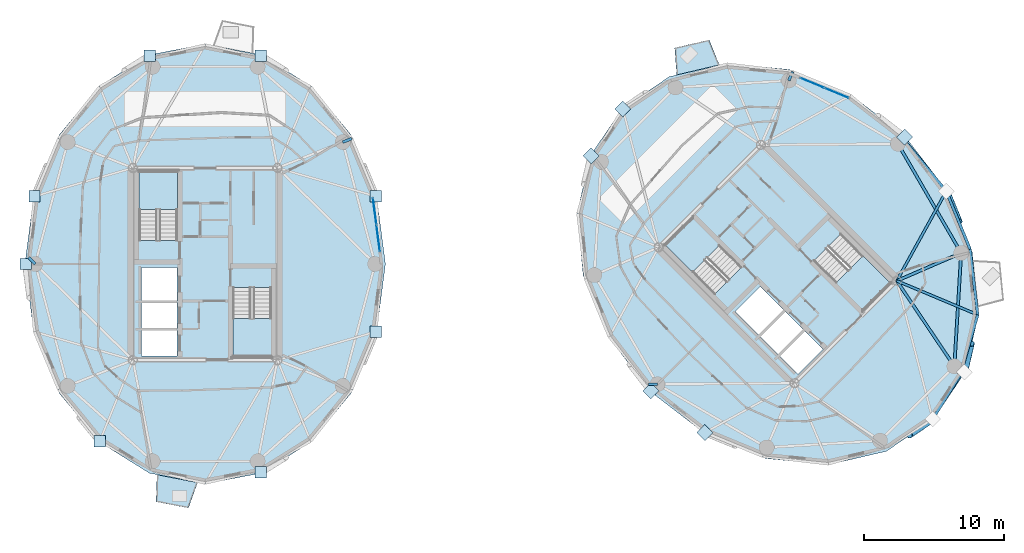
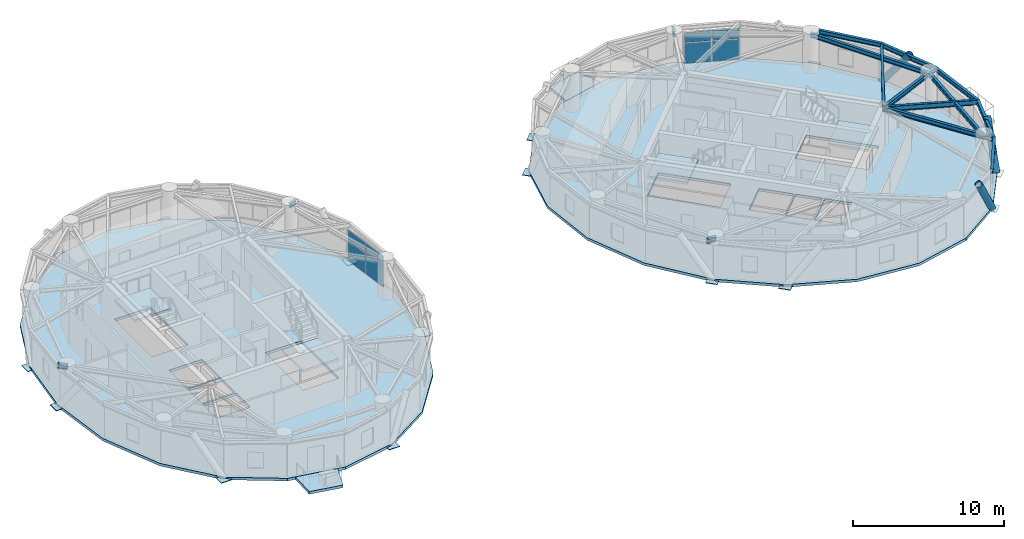
# One storey, part 6 of 16: 21 plates, 15 beams, 8 slabs, 3 members, 6 elements without a shape of their own.
"""IFC4 building model written with IfcOpenShell, lengths in metres."""

from ifc_helpers import new_model, si_unit, direction, frame, origin, origin_2d, place, context, subcontext, project, spatial, polyline, rectangle, hollow_circle, i_section, outline, extrude, source, transform, mapped, material, layer, layer_set, material_profile, profile_set, type_object, element, aggregate, save


model = new_model("IFC4")

# Units and contexts
model_context = context("Model", 3, precision=1e-05, world=origin(), true_north=direction((0.0, 1.0)))
body_context = subcontext(model_context, "Body", "Model", "MODEL_VIEW")
ifc_project = project(units=[si_unit("LENGTHUNIT", "METRE"), si_unit("AREAUNIT", "SQUARE_METRE"), si_unit("VOLUMEUNIT", "CUBIC_METRE"), si_unit("PLANEANGLEUNIT", "RADIAN"), si_unit("MASSUNIT", "GRAM", prefix="KILO")], contexts=[model_context])

# Site, building, storey
site_placement = place(None, origin())
site = spatial("IfcSite", under=ifc_project, at=site_placement, CompositionType="ELEMENT")
building_placement = place(site_placement, origin())
building = spatial("IfcBuilding", under=site, at=building_placement, Name="Cununo Teusaquillo Station Towers", CompositionType="ELEMENT")
storey_placement = place(building_placement, frame((0.0, 0.0, 226.050048828125)))
storey = spatial("IfcBuildingStorey", under=building, at=storey_placement, Name="L72", CompositionType="ELEMENT", Elevation=226.050048828125)

# Beams
ifc_material_1 = material(Name="Steel ASTM A572 Grade 50", Category="steel")
ifc_material_profile_1 = material_profile(ifc_material_1, i_section(OverallWidth=0.180908203125, OverallDepth=0.4169921875, WebThickness=0.010986328125, FlangeThickness=0.018310546875, FilletRadius=0.012939453125, at=origin_2d()), Name="W16X57")
ifc_profile_set_1 = profile_set([ifc_material_profile_1], Name="Steel ASTM A572 Grade 50")
beam_type_1 = type_object("IfcBeamType", Name="BM-JOIST-1", PredefinedType="JOIST", material=ifc_profile_set_1)
beam_1_placement = place(storey_placement, frame((66.024169921875, 23.29443359375, 2.781494140625), z_axis=(0.922169338565, -0.386786389381, 0.0), x_axis=(0.386786389381, 0.922169338565, 0.0)))
element("IfcBeam", 1, at=beam_1_placement, inside=storey, type_object=beam_type_1, Name="L72 Tower B Radial Spandrel Joist V17", PredefinedType="JOIST", context=body_context, shape_type="SweptSolid", body=[
    extrude(i_section(OverallWidth=0.180908203125, OverallDepth=0.4169921875, WebThickness=0.010986328125, FlangeThickness=0.018310546875, FilletRadius=0.012939453125, at=origin_2d()), origin(), (0.0, 0.0, 1.0), 6.281005859375),
])
beam_2_placement = place(storey_placement, frame((66.024169921875, 23.29443359375, 2.781494140625), z_axis=(0.483552544108, 0.8753153358, 0.0), x_axis=(-0.8753153358, 0.483552544108, 0.0)))
element("IfcBeam", 2, at=beam_2_placement, inside=storey, type_object=beam_type_1, Name="L72 Tower B Radial Spandrel Joist V19", PredefinedType="JOIST", context=body_context, shape_type="SweptSolid", body=[
    extrude(i_section(OverallWidth=0.180908203125, OverallDepth=0.4169921875, WebThickness=0.010986328125, FlangeThickness=0.018310546875, FilletRadius=0.012939453125, at=origin_2d()), origin(), (0.0, 0.0, 1.0), 7.3330078125),
])
ifc_material_2 = material(Name="Steel ASTM A572 Grade 50", Category="steel")
ifc_material_profile_2 = material_profile(ifc_material_2, i_section(OverallWidth=0.2041015625, OverallDepth=0.35009765625, WebThickness=0.008544921875, FlangeThickness=0.01513671875, FilletRadius=0.011962890625, at=origin_2d()), Name="W14X48")
ifc_profile_set_2 = profile_set([ifc_material_profile_2], Name="Steel ASTM A572 Grade 50")
beam_type_2 = type_object("IfcBeamType", Name="BM-RAD-G3", PredefinedType="BEAM", material=ifc_profile_set_2)
beam_3_placement = place(storey_placement, frame((26.347412109375, 33.228515625, 2.81494140625), z_axis=(0.929761307449, 0.368162886738, 0.0), x_axis=(-0.368162886738, 0.929761307449, 0.0)))
element("IfcBeam", 3, at=beam_3_placement, inside=storey, type_object=beam_type_2, Name="L72 Tower A Perimeter Overhang Girder 02B", PredefinedType="BEAM", context=body_context, shape_type="SweptSolid", body=[
    extrude(i_section(OverallWidth=0.2041015625, OverallDepth=0.35009765625, WebThickness=0.008544921875, FlangeThickness=0.01513671875, FilletRadius=0.011962890625, at=origin_2d()), origin(), (0.0, 0.0, 1.0), 0.691650390625),
])
beam_4_placement = place(storey_placement, frame((4.327880859375, 24.5, 2.81494140625), z_axis=(-0.712904743691, 0.701260883283, 0.0), x_axis=(-0.701260883283, -0.712904743691, 0.0)))
element("IfcBeam", 4, at=beam_4_placement, inside=storey, type_object=beam_type_2, Name="L72 Tower A Perimeter Overhang Girder 06B", PredefinedType="BEAM", context=body_context, shape_type="SweptSolid", body=[
    extrude(i_section(OverallWidth=0.2041015625, OverallDepth=0.35009765625, WebThickness=0.008544921875, FlangeThickness=0.01513671875, FilletRadius=0.011962890625, at=origin_2d()), origin(), (0.0, 0.0, 1.0), 0.64990234375),
])
beam_5_placement = place(storey_placement, frame((58.291015625, 37.63525390625, 2.81494140625), z_axis=(0.397409333503, 0.917641445034, 0.0), x_axis=(-0.917641445034, 0.397409333503, 0.0)))
element("IfcBeam", 5, at=beam_5_placement, inside=storey, type_object=beam_type_2, Name="L72 Tower B Perimeter Overhang Girder 02B", PredefinedType="BEAM", context=body_context, shape_type="SweptSolid", body=[
    extrude(i_section(OverallWidth=0.2041015625, OverallDepth=0.35009765625, WebThickness=0.008544921875, FlangeThickness=0.01513671875, FilletRadius=0.011962890625, at=origin_2d()), origin(), (0.0, 0.0, 1.0), 0.691650390625),
])
beam_6_placement = place(storey_placement, frame((48.89306640625, 15.89306640625, 2.81494140625), z_axis=(-0.999962704276, -0.008636553586, 0.0), x_axis=(0.008636553586, -0.999962704276, 0.0)))
element("IfcBeam", 6, at=beam_6_placement, inside=storey, type_object=beam_type_2, Name="L72 Tower B Perimeter Overhang Girder 06B", PredefinedType="BEAM", context=body_context, shape_type="SweptSolid", body=[
    extrude(i_section(OverallWidth=0.2041015625, OverallDepth=0.35009765625, WebThickness=0.008544921875, FlangeThickness=0.01513671875, FilletRadius=0.011962890625, at=origin_2d()), origin(), (0.0, 0.0, 1.0), 0.650146484375),
])
beam_7_placement = place(storey_placement, frame((66.024169921875, 23.29443359375, 2.81494140625), z_axis=(0.558570844079, -0.829456817529, 0.0), x_axis=(0.829456817529, 0.558570844079, 0.0)))
element("IfcBeam", 7, at=beam_7_placement, inside=storey, type_object=beam_type_2, Name="L72 Tower B Continuous Overhanging Radial Girder 09", PredefinedType="BEAM", context=body_context, shape_type="SweptSolid", body=[
    extrude(i_section(OverallWidth=0.2041015625, OverallDepth=0.35009765625, WebThickness=0.008544921875, FlangeThickness=0.01513671875, FilletRadius=0.011962890625, at=origin_2d()), origin(), (0.0, 0.0, 1.0), 8.1240234375),
])
beam_8_placement = place(storey_placement, frame((66.024169921875, 23.29443359375, 2.81494140625), z_axis=(0.917665176837, 0.397354530893, 0.0), x_axis=(-0.397354530893, 0.917665176837, 0.0)))
element("IfcBeam", 8, at=beam_8_placement, inside=storey, type_object=beam_type_2, Name="L72 Tower B Continuous Overhanging Radial Girder 10", PredefinedType="BEAM", context=body_context, shape_type="SweptSolid", body=[
    extrude(i_section(OverallWidth=0.2041015625, OverallDepth=0.35009765625, WebThickness=0.008544921875, FlangeThickness=0.01513671875, FilletRadius=0.011962890625, at=origin_2d()), origin(), (0.0, 0.0, 1.0), 5.716552734375),
])
ifc_material_3 = material(Name="Steel ASTM A572 Grade 50", Category="steel")
ifc_material_profile_3 = material_profile(ifc_material_3, i_section(OverallWidth=0.2041015625, OverallDepth=0.35009765625, WebThickness=0.008544921875, FlangeThickness=0.01513671875, FilletRadius=0.011962890625, at=origin_2d()), Name="W14X48")
ifc_profile_set_3 = profile_set([ifc_material_profile_3], Name="Steel ASTM A572 Grade 50")
beam_type_3 = type_object("IfcBeamType", Name="BM-RING-Z4", PredefinedType="SPANDREL", material=ifc_profile_set_3)
beam_9_placement = place(storey_placement, frame((70.146240234375, 17.173095703125, 2.81494140625), z_axis=(0.06012979176, 0.998190567048, 0.0), x_axis=(-0.998190567048, 0.06012979176, 0.0)))
element("IfcBeam", 9, at=beam_9_placement, inside=storey, type_object=beam_type_3, Name="L72 Tower B Structural Column Ring Girder 09", PredefinedType="SPANDREL", context=body_context, shape_type="SweptSolid", body=[
    extrude(i_section(OverallWidth=0.2041015625, OverallDepth=0.35009765625, WebThickness=0.008544921875, FlangeThickness=0.01513671875, FilletRadius=0.011962890625, at=origin_2d()), origin(), (0.0, 0.0, 1.0), 8.132568359375),
])
beam_10_placement = place(storey_placement, frame((70.63525390625, 25.291015625, 2.81494140625), z_axis=(-0.501311121078, 0.865267103202, 0.0), x_axis=(-0.865267103202, -0.501311121078, 0.0)))
element("IfcBeam", 10, at=beam_10_placement, inside=storey, type_object=beam_type_3, Name="L72 Tower B Structural Column Ring Girder 10", PredefinedType="SPANDREL", context=body_context, shape_type="SweptSolid", body=[
    extrude(i_section(OverallWidth=0.2041015625, OverallDepth=0.35009765625, WebThickness=0.008544921875, FlangeThickness=0.01513671875, FilletRadius=0.011962890625, at=origin_2d()), origin(), (0.0, 0.0, 1.0), 9.032958984375),
])
beam_11_placement = place(storey_placement, frame((68.594482421875, 13.405517578125, 2.81494140625), z_axis=(0.529715312739, 0.848175505099, 0.0), x_axis=(-0.848175505099, 0.529715312739, 0.0)))
element("IfcBeam", 11, at=beam_11_placement, inside=storey, type_object=beam_type_3, Name="L72 Tower B Spandrel Ring Beam 16", PredefinedType="SPANDREL", context=body_context, shape_type="SweptSolid", body=[
    extrude(i_section(OverallWidth=0.2041015625, OverallDepth=0.35009765625, WebThickness=0.008544921875, FlangeThickness=0.01513671875, FilletRadius=0.011962890625, at=origin_2d()), origin(), (0.0, 0.0, 1.0), 3.71435546875),
])
beam_12_placement = place(storey_placement, frame((70.56201171875, 16.555908203125, 2.81494140625), z_axis=(0.279502797802, 0.96014487762, 0.0), x_axis=(-0.96014487762, 0.279502797802, 0.0)))
element("IfcBeam", 12, at=beam_12_placement, inside=storey, type_object=beam_type_3, Name="L72 Tower B Spandrel Ring Beam 17", PredefinedType="SPANDREL", context=body_context, shape_type="SweptSolid", body=[
    extrude(i_section(OverallWidth=0.2041015625, OverallDepth=0.35009765625, WebThickness=0.008544921875, FlangeThickness=0.01513671875, FilletRadius=0.011962890625, at=origin_2d()), origin(), (0.0, 0.0, 1.0), 4.488037109375),
])
beam_13_placement = place(storey_placement, frame((71.81640625, 20.864990234375, 2.81494140625), z_axis=(-0.115452326356, 0.993313022334, 0.0), x_axis=(-0.993313022334, -0.115452326356, 0.0)))
element("IfcBeam", 13, at=beam_13_placement, inside=storey, type_object=beam_type_3, Name="L72 Tower B Spandrel Ring Beam 18", PredefinedType="SPANDREL", context=body_context, shape_type="SweptSolid", body=[
    extrude(i_section(OverallWidth=0.2041015625, OverallDepth=0.35009765625, WebThickness=0.008544921875, FlangeThickness=0.01513671875, FilletRadius=0.011962890625, at=origin_2d()), origin(), (0.0, 0.0, 1.0), 4.732666015625),
])
beam_14_placement = place(storey_placement, frame((71.27001953125, 25.56591796875, 2.81494140625), z_axis=(-0.379275405388, 0.925283830437, 0.0), x_axis=(-0.925283830437, -0.379275405388, 0.0)))
element("IfcBeam", 14, at=beam_14_placement, inside=storey, type_object=beam_type_3, Name="L72 Tower B Spandrel Ring Beam 19", PredefinedType="SPANDREL", context=body_context, shape_type="SweptSolid", body=[
    extrude(i_section(OverallWidth=0.2041015625, OverallDepth=0.35009765625, WebThickness=0.008544921875, FlangeThickness=0.01513671875, FilletRadius=0.011962890625, at=origin_2d()), origin(), (0.0, 0.0, 1.0), 4.482177734375),
])
beam_15_placement = place(storey_placement, frame((69.570068359375, 29.713134765625, 2.81494140625), z_axis=(-0.637524682095, 0.770429931739, 0.0), x_axis=(-0.770429931739, -0.637524682095, 0.0)))
element("IfcBeam", 15, at=beam_15_placement, inside=storey, type_object=beam_type_3, Name="L72 Tower B Spandrel Ring Beam 20", PredefinedType="SPANDREL", context=body_context, shape_type="SweptSolid", body=[
    extrude(i_section(OverallWidth=0.2041015625, OverallDepth=0.35009765625, WebThickness=0.008544921875, FlangeThickness=0.01513671875, FilletRadius=0.011962890625, at=origin_2d()), origin(), (0.0, 0.0, 1.0), 4.412353515625),
])

# Members
ifc_material_4 = material(Name="Steel EN 10025-2 S355J2", Category="steel")
ifc_material_profile_4 = material_profile(ifc_material_4, hollow_circle(Radius=0.25390625, WallThickness=0.01806640625, at=origin_2d()), Name="CHS 508x18")
ifc_profile_set_4 = profile_set([ifc_material_profile_4], Name="Steel EN 10025-2 S355J2")
member_type = type_object("IfcMemberType", Name="MBR-DIAG-Z4", PredefinedType="BRACE", material=ifc_profile_set_4)
member_1_placement = place(storey_placement, frame((68.594482421875, 13.405517578125, -0.14013671875), z_axis=(-0.442546661464, -0.299180116953, 0.845366021346), x_axis=(0.560065734295, -0.828448171746, 0.0)))
element("IfcMember", 16, at=member_1_placement, inside=storey, type_object=member_type, Name="L72 Tower B Folded-Zigzag Diagrid Tube C14", PredefinedType="BRACE", context=body_context, shape_type="SweptSolid", body=[
    extrude(hollow_circle(Radius=0.25390625, WallThickness=0.01806640625, at=origin_2d()), origin(), (0.0, 0.0, 1.0), 3.78564453125),
])
member_2_placement = place(storey_placement, frame((70.859375, 16.75634765625, -0.14013671875), z_axis=(0.124844945737, 0.536005213458, 0.834932422817), x_axis=(-0.973930772574, 0.226845432471, 0.0)))
element("IfcMember", 17, at=member_2_placement, inside=storey, type_object=member_type, Name="L72 Tower B Folded-Zigzag Diagrid Tube C16", PredefinedType="BRACE", context=body_context, shape_type="SweptSolid", body=[
    extrude(hollow_circle(Radius=0.25390625, WallThickness=0.01806640625, at=origin_2d()), origin(), (0.0, 0.0, 1.0), 3.832763671875),
])
member_3_placement = place(storey_placement, frame((69.570068359375, 29.713134765625, -0.14013671875), z_axis=(0.226297108112, -0.550384486458, 0.803658220842), x_axis=(0.924874275738, 0.380273025704, 0.0)))
element("IfcMember", 18, at=member_3_placement, inside=storey, type_object=member_type, Name="L72 Tower B Folded-Zigzag Diagrid Tube C18", PredefinedType="BRACE", context=body_context, shape_type="SweptSolid", body=[
    extrude(hollow_circle(Radius=0.25390625, WallThickness=0.01806640625, at=origin_2d()), origin(), (0.0, 0.0, 1.0), 3.98193359375),
])

# Slabs
ifc_material_5 = material(Name="Concrete C50/60", Category="concrete")
ifc_layer_1 = layer(ifc_material_5, 0.2099609375)
ifc_layer_set_1 = layer_set([ifc_layer_1], Name="Concrete C50/60")
slab_type_1 = type_object("IfcSlabType", Name="SLB-BAL-210", PredefinedType="FLOOR", material=ifc_layer_set_1)
slab_1_placement = place(storey_placement, frame((0.0, 0.0, -0.2099609375)))
element("IfcSlab", 19, at=slab_1_placement, inside=storey, type_object=slab_type_1, Name="L72 Tower A Tree Balcony Slab 2", PredefinedType="FLOOR", context=body_context, shape_type="SweptSolid", body=[
    extrude(outline(polyline([(13.0498046875, 9.41162109375), (15.958984375, 8.849365234375), (15.30126953125, 7.026123046875), (12.98095703125, 7.474609375), (13.0498046875, 9.41162109375)])), origin(), (0.0, 0.0, 1.0), 0.2099609375),
])
slab_2_placement = place(storey_placement, frame((0.0, 0.0, -0.2099609375)))
element("IfcSlab", 20, at=slab_2_placement, inside=storey, type_object=slab_type_1, Name="L72 Tower B Sky Garden Terrace Slab 1", PredefinedType="FLOOR", context=body_context, shape_type="SweptSolid", body=[
    extrude(outline(polyline([(53.319091796875, 38.755615234375), (50.263671875, 38.04248046875), (50.12060546875, 39.9755859375), (52.591796875, 40.55224609375), (53.319091796875, 38.755615234375)])), origin(), (0.0, 0.0, 1.0), 0.2099609375),
])

# Stair, slab
ifc_material_6 = material(Name="Concrete C50/60", Category="concrete")
stair_type = type_object("IfcStairType", Name="ST-TWR-1300", PredefinedType="HALF_TURN_STAIR", material=ifc_material_6)
stair_1_placement = place(storey_placement, origin())
stair_1 = element("IfcStair", 21, at=stair_1_placement, inside=storey, type_object=stair_type, Name="L72 Tower A Protected Core Exit Stair 1", PredefinedType="HALF_TURN_STAIR")
ifc_material_7 = material(Name="Concrete C50/60", Category="concrete")
ifc_layer_2 = layer(ifc_material_7, 0.199951171875)
ifc_layer_set_2 = layer_set([ifc_layer_2], Name="Concrete C50/60")
slab_type_2 = type_object("IfcSlabType", Name="SLB-STAIR-LND", PredefinedType="LANDING", material=ifc_layer_set_2)
slab_3_placement = place(storey_placement, frame((0.0, 0.0, 1.39990234375)))
slab_3 = element("IfcSlab", 22, at=slab_3_placement, type_object=slab_type_2, Name="ST-T1-1 landing 1", PredefinedType="LANDING", context=body_context, shape_type="SweptSolid", body=[
    extrude(outline(polyline([(14.52001953125, 28.409912109375), (14.52001953125, 31.159912109375), (11.760009765625, 31.159912109375), (11.760009765625, 28.409912109375), (14.52001953125, 28.409912109375)])), origin(), (0.0, 0.0, 1.0), 0.199951171875),
])
aggregate(stair_1, [slab_3])

stair_2_placement = place(storey_placement, origin())
stair_2 = element("IfcStair", 23, at=stair_2_placement, inside=storey, type_object=stair_type, Name="L72 Tower A Protected Core Exit Stair 2", PredefinedType="HALF_TURN_STAIR")
slab_4_placement = place(storey_placement, frame((0.0, 0.0, 1.39990234375)))
slab_4 = element("IfcSlab", 24, at=slab_4_placement, type_object=slab_type_2, Name="ST-T1-2 landing 1", PredefinedType="LANDING", context=body_context, shape_type="SweptSolid", body=[
    extrude(outline(polyline([(18.47998046875, 20.590087890625), (18.47998046875, 17.840087890625), (21.239990234375, 17.840087890625), (21.239990234375, 20.590087890625), (18.47998046875, 20.590087890625)])), origin(), (0.0, 0.0, 1.0), 0.199951171875),
])
aggregate(stair_2, [slab_4])

stair_3_placement = place(storey_placement, origin())
stair_3 = element("IfcStair", 25, at=stair_3_placement, inside=storey, type_object=stair_type, Name="L72 Tower B Protected Core Exit Stair 1", PredefinedType="HALF_TURN_STAIR")
slab_5_placement = place(storey_placement, frame((0.0, 0.0, 1.39990234375)))
slab_5 = element("IfcSlab", 26, at=slab_5_placement, type_object=slab_type_2, Name="ST-T2-1 landing 1", PredefinedType="LANDING", context=body_context, shape_type="SweptSolid", body=[
    extrude(outline(polyline([(53.335205078125, 25.86474609375), (51.390625, 27.809326171875), (49.43896484375, 25.857666015625), (51.383544921875, 23.9130859375), (53.335205078125, 25.86474609375)])), origin(), (0.0, 0.0, 1.0), 0.199951171875),
])
aggregate(stair_3, [slab_5])

stair_4_placement = place(storey_placement, origin())
stair_4 = element("IfcStair", 27, at=stair_4_placement, inside=storey, type_object=stair_type, Name="L72 Tower B Protected Core Exit Stair 2", PredefinedType="HALF_TURN_STAIR")
slab_6_placement = place(storey_placement, frame((0.0, 0.0, 1.39990234375)))
slab_6 = element("IfcSlab", 28, at=slab_6_placement, type_object=slab_type_2, Name="ST-T2-2 landing 1", PredefinedType="LANDING", context=body_context, shape_type="SweptSolid", body=[
    extrude(outline(polyline([(61.664794921875, 23.13525390625), (63.609375, 21.190673828125), (65.56103515625, 23.142333984375), (63.616455078125, 25.0869140625), (61.664794921875, 23.13525390625)])), origin(), (0.0, 0.0, 1.0), 0.199951171875),
])
aggregate(stair_4, [slab_6])

# Slabs
ifc_material_8 = material(Name="Concrete C40/50", Category="concrete")
ifc_layer_3 = layer(ifc_material_8, 0.2099609375)
ifc_layer_set_3 = layer_set([ifc_layer_3], Name="Concrete C40/50")
slab_type_3 = type_object("IfcSlabType", Name="SLB-Z4-200", PredefinedType="FLOOR", material=ifc_layer_set_3)
slab_7_placement = place(storey_placement, frame((0.0, 0.0, -0.2099609375)))
element("IfcSlab", 29, at=slab_7_placement, inside=storey, type_object=slab_type_3, Name="L72 Tower A Floor Slab", PredefinedType="FLOOR", context=body_context, shape_type="SweptSolid", body=[
    extrude(outline(polyline([(29.409912109375, 24.5), (28.778076171875, 29.366943359375), (26.9443359375, 33.757568359375), (24.08837890625, 37.241943359375), (20.489501953125, 39.47900390625), (16.5, 40.25), (12.510498046875, 39.47900390625), (8.91162109375, 37.241943359375), (6.0556640625, 33.757568359375), (4.221923828125, 29.366943359375), (3.590087890625, 24.5), (4.221923828125, 19.633056640625), (6.0556640625, 15.242431640625), (8.91162109375, 11.758056640625), (12.510498046875, 9.52099609375), (16.5, 8.75), (20.489501953125, 9.52099609375), (24.08837890625, 11.758056640625), (26.9443359375, 15.242431640625), (28.778076171875, 19.633056640625), (29.409912109375, 24.5)]), holes=[polyline([(14.52001953125, 26.176025390625), (14.52001953125, 31.159912109375), (11.760009765625, 31.159912109375), (11.760009765625, 26.176025390625), (14.52001953125, 26.176025390625)]), polyline([(18.47998046875, 22.823974609375), (18.47998046875, 17.840087890625), (21.239990234375, 17.840087890625), (21.239990234375, 22.823974609375), (18.47998046875, 22.823974609375)]), polyline([(11.949951171875, 21.85009765625), (14.47998046875, 21.85009765625), (14.47998046875, 24.25), (11.949951171875, 24.25), (11.949951171875, 21.85009765625)]), polyline([(11.949951171875, 17.89990234375), (14.47998046875, 17.89990234375), (14.47998046875, 19.75), (11.949951171875, 19.75), (11.949951171875, 17.89990234375)]), polyline([(11.949951171875, 19.89990234375), (14.47998046875, 19.89990234375), (14.47998046875, 21.75), (11.949951171875, 21.75), (11.949951171875, 19.89990234375)])]), origin(), (0.0, 0.0, 1.0), 0.2099609375),
])
slab_8_placement = place(storey_placement, frame((0.0, 0.0, -0.2099609375)))
element("IfcSlab", 30, at=slab_8_placement, inside=storey, type_object=slab_type_3, Name="L72 Tower B Floor Slab", PredefinedType="FLOOR", context=body_context, shape_type="SweptSolid", body=[
    extrude(outline(polyline([(66.628662109375, 33.628662109375), (62.740478515625, 36.623291015625), (58.339111328125, 38.431396484375), (53.855712890625, 38.875732421875), (49.72900390625, 37.912841796875), (46.363037109375, 35.636962890625), (44.087158203125, 32.27099609375), (43.124267578125, 28.144287109375), (43.568603515625, 23.660888671875), (45.376708984375, 19.259521484375), (48.371337890625, 15.371337890625), (52.259521484375, 12.376708984375), (56.660888671875, 10.568603515625), (61.144287109375, 10.124267578125), (65.27099609375, 11.087158203125), (68.636962890625, 13.363037109375), (70.912841796875, 16.72900390625), (71.875732421875, 20.855712890625), (71.431396484375, 25.339111328125), (69.623291015625, 29.740478515625), (66.628662109375, 33.628662109375)]), holes=[polyline([(54.914794921875, 24.28515625), (51.390625, 27.809326171875), (49.43896484375, 25.857666015625), (52.963134765625, 22.33349609375), (54.914794921875, 24.28515625)]), polyline([(60.085205078125, 24.71484375), (63.609375, 21.190673828125), (65.56103515625, 23.142333984375), (62.036865234375, 26.66650390625), (60.085205078125, 24.71484375)]), polyline([(56.156494140625, 19.40869140625), (57.945556640625, 21.19775390625), (56.248291015625, 22.89501953125), (54.45947265625, 21.10595703125), (56.156494140625, 19.40869140625)]), polyline([(58.94970703125, 16.61572265625), (60.738525390625, 18.40478515625), (59.430419921875, 19.712890625), (57.641357421875, 17.923828125), (58.94970703125, 16.61572265625)]), polyline([(57.535400390625, 18.030029296875), (59.32421875, 19.819091796875), (58.01611328125, 21.127197265625), (56.227294921875, 19.338134765625), (57.535400390625, 18.030029296875)])]), origin(), (0.0, 0.0, 1.0), 0.2099609375),
])

# Plates
ifc_material_9 = material(Name="Steel ASTM A572 Grade 50", Category="steel")
ifc_layer_4 = layer(ifc_material_9, 0.044921875)
ifc_layer_set_4 = layer_set([ifc_layer_4], Name="Steel ASTM A572 Grade 50")
plate_type_1 = type_object("IfcPlateType", Name="PLT-NODE-DN2", PredefinedType="USERDEFINED", material=ifc_layer_set_4)
shared_shape_1 = source(origin(), body_context, "Body", "SweptSolid", [
    extrude(rectangle(XDim=0.820068359375, YDim=0.820068359375, at=origin_2d()), origin(), (0.0, 0.0, 1.0), 0.044921875),
])
for number, where, z_axis, x_axis, name in (
    (31, (28.72119140625, 29.348388671875, -0.16259765625), (0.0, 0.0, 1.0), (1.0, 0.0, 0.0), "L72 Tower A Diagrid Node Assembly C01"),
    (32, (20.470947265625, 39.422119140625, -0.16259765625), (0.0, 0.0, 1.0), (1.0, 0.0, 0.0), "L72 Tower A Diagrid Node Assembly C03"),
    (33, (12.529052734375, 39.422119140625, -0.16259765625), (0.0, 0.0, 1.0), (1.0, 0.0, 0.0), "L72 Tower A Diagrid Node Assembly C06"),
    (34, (4.27880859375, 29.348388671875, -0.16259765625), (0.0, 0.0, 1.0), (1.0, 0.0, 0.0), "L72 Tower A Diagrid Node Assembly C08"),
    (35, (3.64990234375, 24.5, -0.16259765625), (0.0, 0.0, 1.0), (1.0, 0.0, 0.0), "L72 Tower A Diagrid Node Assembly C10"),
    (36, (8.947021484375, 11.806396484375, -0.16259765625), (0.0, 0.0, 1.0), (1.0, 0.0, 0.0), "L72 Tower A Diagrid Node Assembly C12"),
    (37, (20.470947265625, 9.577880859375, -0.16259765625), (0.0, 0.0, 1.0), (1.0, 0.0, 0.0), "L72 Tower A Diagrid Node Assembly C16"),
    (38, (28.72119140625, 19.651611328125, -0.16259765625), (0.0, 0.0, 1.0), (1.0, 0.0, 0.0), "L72 Tower A Diagrid Node Assembly C18"),
    (39, (66.586181640625, 33.586181640625, -0.16259765625), (0.0, 0.0, 1.0), (0.707106781187, 0.707106781187, 0.0), "L72 Tower B Diagrid Node Assembly C00"),
    (40, (46.405517578125, 35.594482421875, -0.16259765625), (0.0, 0.0, 1.0), (0.707106781187, 0.707106781187, 0.0), "L72 Tower B Diagrid Node Assembly C04"),
    (41, (44.140625, 32.24365234375, -0.16259765625), (0.0, 0.0, 1.0), (0.707106781187, 0.707106781187, 0.0), "L72 Tower B Diagrid Node Assembly C06"),
    (42, (48.413818359375, 15.413818359375, -0.16259765625), (0.0, 0.0, 1.0), (0.707106781187, 0.707106781187, 0.0), "L72 Tower B Diagrid Node Assembly C09"),
    (43, (52.286865234375, 12.429931640625, -0.16259765625), (0.0, 0.0, 1.0), (0.707106781187, 0.707106781187, 0.0), "L72 Tower B Diagrid Node Assembly C11"),
):
    element("IfcPlate", number, at=place(storey_placement, frame(where, z_axis=z_axis, x_axis=x_axis)), inside=storey, type_object=plate_type_1, Name=name, ObjectType="GUSSET PLATE", PredefinedType="USERDEFINED", context=body_context, shape_type="MappedRepresentation", body=[
        mapped(shared_shape_1, transform((0.0, 0.0, 0.0), x_axis=(1.0, 0.0, 0.0), y_axis=(0.0, 1.0, 0.0), z_axis=(0.0, 0.0, 1.0), scale=1.0)),
    ])

# Curtain wall, plates
ifc_material_10 = material(Name="Ceramic-fritted dark low-E double glazing", Category="glass")
ifc_layer_5 = layer(ifc_material_10, 0.179931640625)
ifc_layer_set_5 = layer_set([ifc_layer_5], Name="Ceramic-fritted dark low-E double glazing")
curtain_wall_type = type_object("IfcCurtainWallType", Name="CW-SYS-07", PredefinedType="USERDEFINED", material=ifc_layer_set_5)
curtain_wall_1_placement = place(storey_placement, origin())
curtain_wall_1 = element("IfcCurtainWall", 44, at=curtain_wall_1_placement, inside=storey, type_object=curtain_wall_type, Name="L72 Tower A Facade Curtain Wall C00", ObjectType="FRITTED GLAZING", PredefinedType="USERDEFINED")
ifc_material_11 = material(Name="Ceramic-fritted dark low-E double glazing", Category="glass")
ifc_layer_6 = layer(ifc_material_11, 0.028076171875)
ifc_layer_set_6 = layer_set([ifc_layer_6], Name="Ceramic-fritted dark low-E double glazing")
plate_type_2 = type_object("IfcPlateType", Name="CWP-FRIT-28", PredefinedType="CURTAIN_PANEL", material=ifc_layer_set_6)
shared_shape_2 = source(origin(), body_context, "Body", "SweptSolid", [
    extrude(rectangle(XDim=1.8876953125, YDim=0.028076171875, at=origin_2d()), origin(), (0.0, 0.0, 1.0), 1.6005859375),
])
plate_1_placement = place(storey_placement, frame((28.64111328125, 28.280029296875, 0.06494140625), z_axis=(0.0, 0.0, 1.0), x_axis=(0.12825264413, -0.991741528461, 0.0)))
plate_1 = element("IfcPlate", 45, at=plate_1_placement, type_object=plate_type_2, Name="CW-07 panel 1.1", PredefinedType="CURTAIN_PANEL", context=body_context, shape_type="MappedRepresentation", body=[
    mapped(shared_shape_2, transform((0.0, 0.0, 0.0), x_axis=(1.0, 0.0, 0.0), y_axis=(0.0, 1.0, 0.0), z_axis=(0.0, 0.0, 1.0), scale=1.0)),
])
plate_2_placement = place(storey_placement, frame((28.8916015625, 26.343505859375, 0.06494140625), z_axis=(0.0, 0.0, 1.0), x_axis=(0.12825264413, -0.991741528461, 0.0)))
plate_2 = element("IfcPlate", 46, at=plate_2_placement, type_object=plate_type_2, Name="CW-07 panel 2.1", PredefinedType="CURTAIN_PANEL", context=body_context, shape_type="MappedRepresentation", body=[
    mapped(shared_shape_2, transform((0.0, 0.0, 0.0), x_axis=(1.0, 0.0, 0.0), y_axis=(0.0, 1.0, 0.0), z_axis=(0.0, 0.0, 1.0), scale=1.0)),
])
shared_shape_3 = source(origin(), body_context, "Body", "SweptSolid", [
    extrude(rectangle(XDim=1.8876953125, YDim=0.028076171875, at=origin_2d()), origin(), (0.0, 0.0, 1.0), 0.81640625),
])
plate_3_placement = place(storey_placement, frame((28.64111328125, 28.280029296875, 1.73046875), z_axis=(0.0, 0.0, 1.0), x_axis=(0.12825264413, -0.991741528461, 0.0)))
plate_3 = element("IfcPlate", 47, at=plate_3_placement, type_object=plate_type_2, Name="CW-07 panel 1.2", PredefinedType="CURTAIN_PANEL", context=body_context, shape_type="MappedRepresentation", body=[
    mapped(shared_shape_3, transform((0.0, 0.0, 0.0), x_axis=(1.0, 0.0, 0.0), y_axis=(0.0, 1.0, 0.0), z_axis=(0.0, 0.0, 1.0), scale=1.0)),
])
plate_4_placement = place(storey_placement, frame((28.8916015625, 26.343505859375, 1.73046875), z_axis=(0.0, 0.0, 1.0), x_axis=(0.12825264413, -0.991741528461, 0.0)))
plate_4 = element("IfcPlate", 48, at=plate_4_placement, type_object=plate_type_2, Name="CW-07 panel 2.2", PredefinedType="CURTAIN_PANEL", context=body_context, shape_type="MappedRepresentation", body=[
    mapped(shared_shape_3, transform((0.0, 0.0, 0.0), x_axis=(1.0, 0.0, 0.0), y_axis=(0.0, 1.0, 0.0), z_axis=(0.0, 0.0, 1.0), scale=1.0)),
])
aggregate(curtain_wall_1, [plate_1, plate_3, plate_2, plate_4])

curtain_wall_2_placement = place(storey_placement, origin())
curtain_wall_2 = element("IfcCurtainWall", 49, at=curtain_wall_2_placement, inside=storey, type_object=curtain_wall_type, Name="L72 Tower B Facade Curtain Wall C01", ObjectType="FRITTED GLAZING", PredefinedType="USERDEFINED")
shared_shape_4 = source(origin(), body_context, "Body", "SweptSolid", [
    extrude(rectangle(XDim=1.81298828125, YDim=0.028076171875, at=origin_2d()), origin(), (0.0, 0.0, 1.0), 1.6005859375),
])
plate_5_placement = place(storey_placement, frame((59.979248046875, 37.46044921875, 0.06494140625), z_axis=(0.0, 0.0, 1.0), x_axis=(0.924447019904, -0.381310513086, 0.0)))
plate_5 = element("IfcPlate", 50, at=plate_5_placement, type_object=plate_type_2, Name="CW-07 panel 1.1", PredefinedType="CURTAIN_PANEL", context=body_context, shape_type="MappedRepresentation", body=[
    mapped(shared_shape_4, transform((0.0, 0.0, 0.0), x_axis=(1.0, 0.0, 0.0), y_axis=(0.0, 1.0, 0.0), z_axis=(0.0, 0.0, 1.0), scale=1.0)),
])
plate_6_placement = place(storey_placement, frame((61.71533203125, 36.744384765625, 0.06494140625), z_axis=(0.0, 0.0, 1.0), x_axis=(0.924447019904, -0.381310513086, 0.0)))
plate_6 = element("IfcPlate", 51, at=plate_6_placement, type_object=plate_type_2, Name="CW-07 panel 2.1", PredefinedType="CURTAIN_PANEL", context=body_context, shape_type="MappedRepresentation", body=[
    mapped(shared_shape_4, transform((0.0, 0.0, 0.0), x_axis=(1.0, 0.0, 0.0), y_axis=(0.0, 1.0, 0.0), z_axis=(0.0, 0.0, 1.0), scale=1.0)),
])
shared_shape_5 = source(origin(), body_context, "Body", "SweptSolid", [
    extrude(rectangle(XDim=1.81298828125, YDim=0.028076171875, at=origin_2d()), origin(), (0.0, 0.0, 1.0), 0.81640625),
])
plate_7_placement = place(storey_placement, frame((59.979248046875, 37.46044921875, 1.73046875), z_axis=(0.0, 0.0, 1.0), x_axis=(0.924447019904, -0.381310513086, 0.0)))
plate_7 = element("IfcPlate", 52, at=plate_7_placement, type_object=plate_type_2, Name="CW-07 panel 1.2", PredefinedType="CURTAIN_PANEL", context=body_context, shape_type="MappedRepresentation", body=[
    mapped(shared_shape_5, transform((0.0, 0.0, 0.0), x_axis=(1.0, 0.0, 0.0), y_axis=(0.0, 1.0, 0.0), z_axis=(0.0, 0.0, 1.0), scale=1.0)),
])
plate_8_placement = place(storey_placement, frame((61.71533203125, 36.744384765625, 1.73046875), z_axis=(0.0, 0.0, 1.0), x_axis=(0.924447019904, -0.381310513086, 0.0)))
plate_8 = element("IfcPlate", 53, at=plate_8_placement, type_object=plate_type_2, Name="CW-07 panel 2.2", PredefinedType="CURTAIN_PANEL", context=body_context, shape_type="MappedRepresentation", body=[
    mapped(shared_shape_5, transform((0.0, 0.0, 0.0), x_axis=(1.0, 0.0, 0.0), y_axis=(0.0, 1.0, 0.0), z_axis=(0.0, 0.0, 1.0), scale=1.0)),
])
aggregate(curtain_wall_2, [plate_5, plate_7, plate_6, plate_8])

save(model, "model.ifc")
